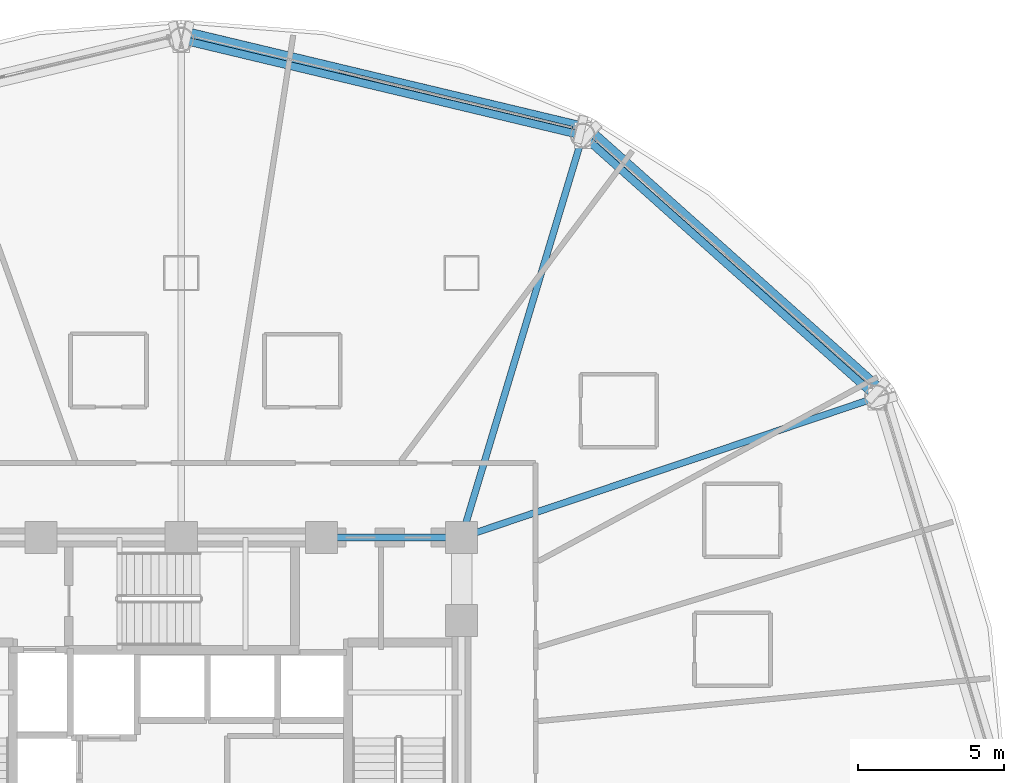
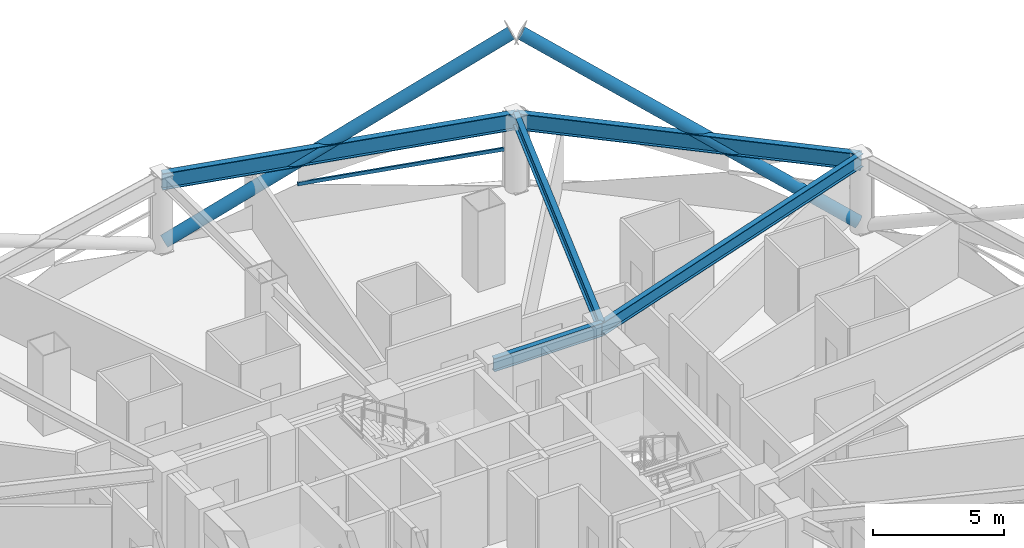
# One storey, part 18 of 30: 5 beams, 3 members, 1 element without a shape of its own.
"""IFC4 building model written with IfcOpenShell, lengths in metres."""

from ifc_helpers import new_model, si_unit, direction, frame, origin, origin_2d, place, context, subcontext, project, spatial, hollow_rectangle, hollow_circle, i_section, extrude, material, layer, layer_set, material_profile, profile_set, type_object, element, aggregate, save


model = new_model("IFC4")

# Units and contexts
model_context = context("Model", 3, precision=1e-05, world=origin(), true_north=direction((0.0, 1.0)))
body_context = subcontext(model_context, "Body", "Model", "MODEL_VIEW")
ifc_project = project(units=[si_unit("LENGTHUNIT", "METRE"), si_unit("AREAUNIT", "SQUARE_METRE"), si_unit("VOLUMEUNIT", "CUBIC_METRE"), si_unit("PLANEANGLEUNIT", "RADIAN"), si_unit("MASSUNIT", "GRAM", prefix="KILO")], contexts=[model_context])

# Site, building, storey
site_placement = place(None, origin())
site = spatial("IfcSite", under=ifc_project, at=site_placement, CompositionType="ELEMENT")
building_placement = place(site_placement, origin())
building = spatial("IfcBuilding", under=site, at=building_placement, Name="Vantalir Tower", CompositionType="ELEMENT")
storey_placement = place(building_placement, frame((0.0, 0.0, 79.5)))
storey = spatial("IfcBuildingStorey", under=building, at=storey_placement, Name="L19", CompositionType="ELEMENT", Elevation=79.5)

# Beams
ifc_material_1 = material(Name="Steel S355", Category="steel")
ifc_material_profile_1 = material_profile(ifc_material_1, i_section(OverallWidth=0.22998046875, OverallDepth=0.616943359375, WebThickness=0.01318359375, FlangeThickness=0.022216796875, at=origin_2d()), Name="Steel S355")
ifc_profile_set_1 = profile_set([ifc_material_profile_1], Name="Steel S355")
beam_type_1 = type_object("IfcBeamType", Name="BM-RB-610x229", PredefinedType="BEAM", material=ifc_profile_set_1)
beam_1_placement = place(storey_placement, frame((41.10009765625, 32.449951171875, 3.261962890625), z_axis=(-1.0, 0.0, 0.0), x_axis=(0.0, -1.0, 0.0)))
element("IfcBeam", 1, at=beam_1_placement, inside=storey, type_object=beam_type_1, Name="L19 Core Coupling Girder 08", PredefinedType="BEAM", context=body_context, shape_type="SweptSolid", body=[
    extrude(i_section(OverallWidth=0.22998046875, OverallDepth=0.616943359375, WebThickness=0.01318359375, FlangeThickness=0.022216796875, at=origin_2d()), origin(), (0.0, 0.0, 1.0), 4.800048828125),
])
beam_2_placement = place(storey_placement, frame((55.31591796875, 37.2470703125, 3.261962890625), z_axis=(-0.947506822468, -0.319735549129, 0.0), x_axis=(0.319735549129, -0.947506822468, 0.0)))
element("IfcBeam", 2, at=beam_2_placement, inside=storey, type_object=beam_type_1, Name="L19 Radial Floor Beam 02", PredefinedType="BEAM", context=body_context, shape_type="SweptSolid", body=[
    extrude(i_section(OverallWidth=0.22998046875, OverallDepth=0.616943359375, WebThickness=0.01318359375, FlangeThickness=0.022216796875, at=origin_2d()), origin(), (0.0, 0.0, 1.0), 15.00341796875),
])
beam_3_placement = place(storey_placement, frame((45.25, 46.212890625, 3.261962890625), z_axis=(-0.288689161262, -0.957422878445, 0.0), x_axis=(0.957422878445, -0.288689161262, 0.0)))
element("IfcBeam", 3, at=beam_3_placement, inside=storey, type_object=beam_type_1, Name="L19 Radial Floor Beam 03", PredefinedType="BEAM", context=body_context, shape_type="SweptSolid", body=[
    extrude(i_section(OverallWidth=0.22998046875, OverallDepth=0.616943359375, WebThickness=0.01318359375, FlangeThickness=0.022216796875, at=origin_2d()), origin(), (0.0, 0.0, 1.0), 14.375),
])
ifc_material_2 = material(Name="Steel S460", Category="steel")
ifc_material_profile_2 = material_profile(ifc_material_2, i_section(OverallWidth=0.26806640625, OverallDepth=0.77001953125, WebThickness=0.015625, FlangeThickness=0.025390625, at=origin_2d()), Name="Steel S460")
ifc_profile_set_2 = profile_set([ifc_material_profile_2], Name="Steel S460")
beam_type_2 = type_object("IfcBeamType", Name="BM-RG-762x267", PredefinedType="USERDEFINED", material=ifc_profile_set_2)
beam_4_placement = place(storey_placement, frame((55.31591796875, 37.2470703125, 3.18505859375), z_axis=(-0.746733439209, 0.665123425213, 0.0), x_axis=(-0.665123425213, -0.746733439209, 0.0)))
element("IfcBeam", 4, at=beam_4_placement, inside=storey, type_object=beam_type_2, Name="L19 Circumferential Ring Girder 02", ObjectType="GIRDER", PredefinedType="USERDEFINED", context=body_context, shape_type="SweptSolid", body=[
    extrude(i_section(OverallWidth=0.26806640625, OverallDepth=0.77001953125, WebThickness=0.015625, FlangeThickness=0.025390625, at=origin_2d()), origin(), (0.0, 0.0, 1.0), 13.47998046875),
])
beam_5_placement = place(storey_placement, frame((45.25, 46.212890625, 3.18505859375), z_axis=(-0.972671890468, 0.232183964763, 0.0), x_axis=(-0.232183964763, -0.972671890468, 0.0)))
element("IfcBeam", 5, at=beam_5_placement, inside=storey, type_object=beam_type_2, Name="L19 Circumferential Ring Girder 03", ObjectType="GIRDER", PredefinedType="USERDEFINED", context=body_context, shape_type="SweptSolid", body=[
    extrude(i_section(OverallWidth=0.26806640625, OverallDepth=0.77001953125, WebThickness=0.015625, FlangeThickness=0.025390625, at=origin_2d()), origin(), (0.0, 0.0, 1.0), 14.13623046875),
])

# Curtain wall, member
ifc_material_3 = material(Name="Champagne-silver PVDF aluminium and double-silver Low-E glass", Category="aluminium")
ifc_layer = layer(ifc_material_3, 0.18994140625)
ifc_layer_set = layer_set([ifc_layer], Name="Champagne-silver PVDF aluminium and double-silver Low-E glass")
curtain_wall_type = type_object("IfcCurtainWallType", Name="CW-DIAMOND-Z1", PredefinedType="USERDEFINED", material=ifc_layer_set)
curtain_wall_placement = place(storey_placement, origin())
curtain_wall = element("IfcCurtainWall", 6, at=curtain_wall_placement, inside=storey, type_object=curtain_wall_type, Name="L19 Quilted Pyramid-Diamond Curtain Wall S03", ObjectType="UNITISED CURTAIN WALL", PredefinedType="USERDEFINED")
ifc_material_4 = material(Name="Champagne-silver PVDF aluminium 6063-T6", Category="aluminium")
ifc_material_profile_3 = material_profile(ifc_material_4, hollow_rectangle(XDim=0.074951171875, YDim=0.159912109375, WallThickness=0.00390625, at=origin_2d()), Name="Champagne-silver PVDF aluminium 6063-T6")
ifc_profile_set_3 = profile_set([ifc_material_profile_3], Name="Champagne-silver PVDF aluminium 6063-T6")
member_type_1 = type_object("IfcMemberType", Name="CWT-160x75", PredefinedType="USERDEFINED", material=ifc_profile_set_3)
member_1_placement = place(storey_placement, frame((44.887939453125, 46.487060546875, 1.784912109375), z_axis=(-0.971942503817, 0.235218556398, 0.0), x_axis=(-0.235218556398, -0.971942503817, 0.0)))
member_1 = element("IfcMember", 7, at=member_1_placement, type_object=member_type_1, Name="CW-L19-S03 Pyramid Fold Ridge Transom", ObjectType="TRANSOM", PredefinedType="USERDEFINED", context=body_context, shape_type="SweptSolid", body=[
    extrude(hollow_rectangle(XDim=0.074951171875, YDim=0.159912109375, WallThickness=0.00390625, at=origin_2d()), origin(), (0.0, 0.0, 1.0), 8.2431640625),
])
aggregate(curtain_wall, [member_1])

# Members
ifc_material_profile_4 = material_profile(ifc_material_2, hollow_circle(Radius=0.27001953125, WallThickness=0.044921875, at=origin_2d()), Name="Steel S460")
ifc_profile_set_4 = profile_set([ifc_material_profile_4], Name="Steel S460")
member_type_2 = type_object("IfcMemberType", Name="MEM-DB-540x45", PredefinedType="BRACE", material=ifc_profile_set_4)
member_2_placement = place(storey_placement, frame((55.3349609375, 37.471923828125, 0.18310546875), z_axis=(-0.660305291948, 0.588617342335, 0.466397411793), x_axis=(-0.665423672812, -0.746465897186, 0.0)))
element("IfcMember", 8, at=member_2_placement, inside=storey, type_object=member_type_2, Name="L19 Perimeter S460 Diagrid Brace R04L", PredefinedType="BRACE", context=body_context, shape_type="SweptSolid", body=[
    extrude(hollow_circle(Radius=0.27001953125, WallThickness=0.044921875, at=origin_2d()), origin(), (0.0, 0.0, 1.0), 14.90966796875),
])
member_3_placement = place(storey_placement, frame((31.69091796875, 49.638916015625, 0.178955078125), z_axis=(0.868927817493, -0.207490098844, 0.449346533166), x_axis=(0.232258742667, 0.972654037392, 0.0)))
element("IfcMember", 9, at=member_3_placement, inside=storey, type_object=member_type_2, Name="L19 Perimeter S460 Diagrid Brace R10R", PredefinedType="BRACE", context=body_context, shape_type="SweptSolid", body=[
    extrude(hollow_circle(Radius=0.27001953125, WallThickness=0.044921875, at=origin_2d()), origin(), (0.0, 0.0, 1.0), 15.493896484375),
])

save(model, "model.ifc")
